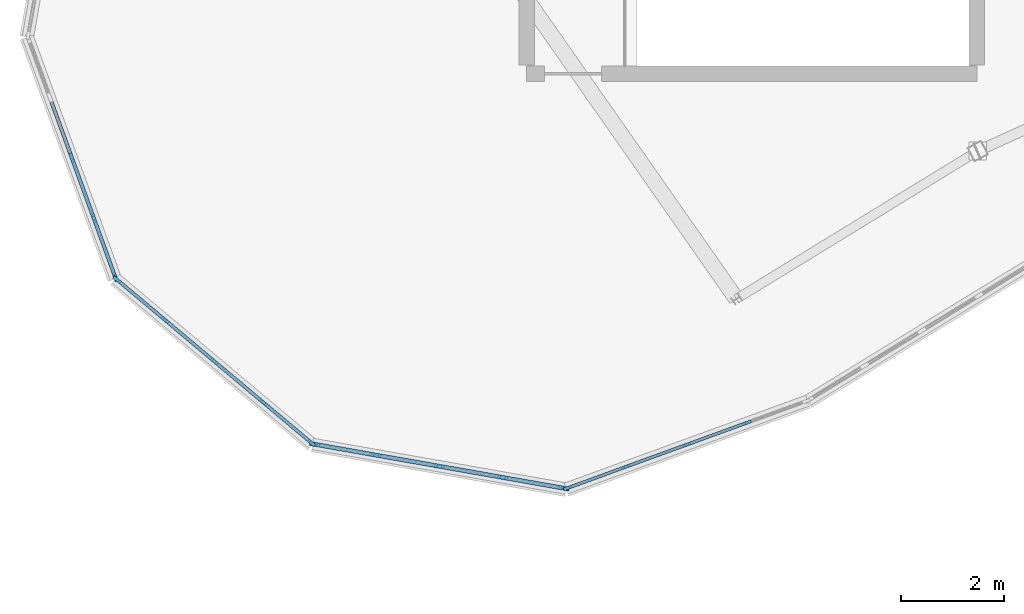
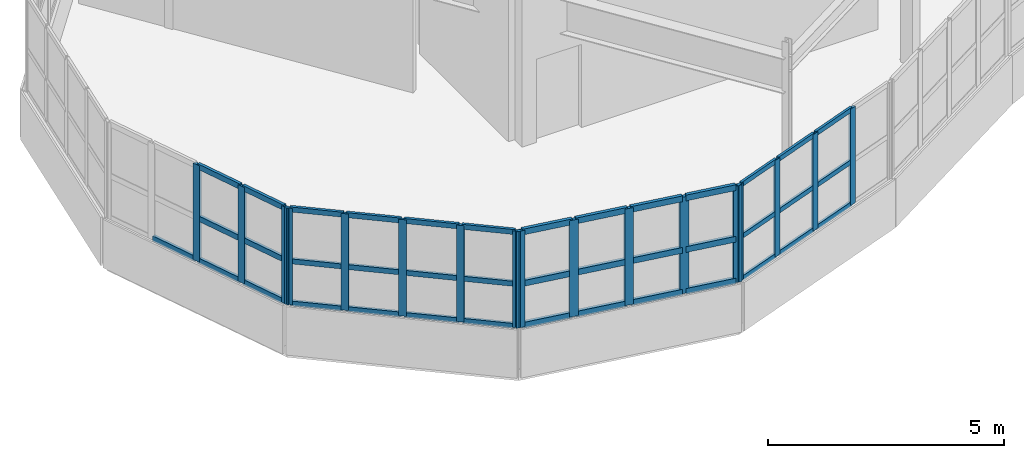
# One storey, part 25 of 60: 57 members, 4 elements without a shape of their own.
"""IFC4 building model written with IfcOpenShell, lengths in metres."""

import ifcopenshell
import ifcopenshell.guid

model = None  # the IFC model being written
_history = None  # IfcOwnerHistory: only IFC2X3 demands one
_inside = {}  # id of a spatial element -> (the spatial element, [elements in it])
_under = {}  # id of a project, library or spatial element -> (it, [spatial elements below it])
_declared = {}  # id of a project -> (the project, [libraries it declares])
_typed = {}  # id of a type object -> (the type object, [elements of that type])
_made_of = {}  # id of a material, layer set ... -> (it, [elements and type objects made of it])


def new_model(schema):
    """Start an empty IFC model of exactly this schema.

    Asked for "IFC4X3", IfcOpenShell would pick the latest addendum, in which some entities
    have other attributes; the version numbers below select the first issue.
    IFC2X3 requires an IfcOwnerHistory on every rooted entity: one is made here for all.
    """
    global model, _history
    if schema == "IFC4X3":
        model = ifcopenshell.file(schema_version=(4, 3, 0, 0))
    else:
        model = ifcopenshell.file(schema=schema)
    _inside.clear()
    _under.clear()
    _declared.clear()
    _typed.clear()
    _made_of.clear()
    _history = None
    if model.schema == "IFC2X3":
        org = make("IfcOrganization", Name="unknown")
        user = make(
            "IfcPersonAndOrganization",
            ThePerson=make("IfcPerson", FamilyName="unknown"),
            TheOrganization=org,
        )
        app = make(
            "IfcApplication",
            ApplicationDeveloper=org,
            Version="unknown",
            ApplicationFullName="unknown",
            ApplicationIdentifier="unknown",
        )
        _history = make(
            "IfcOwnerHistory",
            OwningUser=user,
            OwningApplication=app,
            ChangeAction="ADDED",
            CreationDate=0,
        )
    return model


def make(cls, **values):
    """One entity of the class cls with the attributes given. An attribute that is None is left unset."""
    return model.create_entity(
        cls, **{name: value for name, value in values.items() if value is not None}
    )


def rooted(cls, **values):
    """An entity with a GlobalId (a new one), such as an element, a storey or a relation."""
    return make(cls, GlobalId=ifcopenshell.guid.new(), OwnerHistory=_history, **values)


def si_unit(unit_type, name, prefix=None):
    """IfcSIUnit, for example si_unit("LENGTHUNIT", "METRE", prefix="MILLI")."""
    return make("IfcSIUnit", UnitType=unit_type, Prefix=prefix, Name=name)


def assignment(units):
    """IfcUnitAssignment: the units of a project."""
    return None if units is None else make("IfcUnitAssignment", Units=units)


def point(xyz):
    """IfcCartesianPoint."""
    return None if xyz is None else make("IfcCartesianPoint", Coordinates=xyz)


def direction(xyz):
    """IfcDirection."""
    return None if xyz is None else make("IfcDirection", DirectionRatios=xyz)


def frame(location, z_axis=None, x_axis=None):
    """IfcAxis2Placement3D, a coordinate frame: its origin and axes. An axis left out is left unset."""
    return make(
        "IfcAxis2Placement3D",
        Location=point(location),
        Axis=direction(z_axis),
        RefDirection=direction(x_axis),
    )


def frame_2d(location, x_axis=None):
    """IfcAxis2Placement2D, a coordinate frame in the plane: its origin and x axis."""
    return make(
        "IfcAxis2Placement2D", Location=point(location), RefDirection=direction(x_axis)
    )


def origin():
    """The frame at (0, 0, 0) with its axes left unset."""
    return frame((0.0, 0.0, 0.0))


def origin_2d():
    """The frame at (0, 0) in the plane with its x axis left unset."""
    return frame_2d((0.0, 0.0))


def place(relative_to, where):
    """IfcLocalPlacement: puts the frame where relative to a parent placement (None: the world)."""
    return make(
        "IfcLocalPlacement", PlacementRelTo=relative_to, RelativePlacement=where
    )


def context(
    kind, dimensions, precision=None, world=None, true_north=None, identifier=None
):
    """IfcGeometricRepresentationContext, for example the 3D "Model" context."""
    return make(
        "IfcGeometricRepresentationContext",
        ContextIdentifier=identifier,
        ContextType=kind,
        CoordinateSpaceDimension=dimensions,
        Precision=precision,
        WorldCoordinateSystem=world,
        TrueNorth=true_north,
    )


def subcontext(parent, identifier, kind, view, scale=None):
    """IfcGeometricRepresentationSubContext, for example "Body" below "Model"."""
    return make(
        "IfcGeometricRepresentationSubContext",
        ContextIdentifier=identifier,
        ContextType=kind,
        ParentContext=parent,
        TargetScale=scale,
        TargetView=view,
    )


def project(units=None, contexts=None):
    """IfcProject with its units and contexts."""
    return rooted(
        "IfcProject",
        Name="project",
        RepresentationContexts=contexts,
        UnitsInContext=assignment(units),
    )


def spatial(cls, under=None, at=None, **own):
    """A site, building, storey or space (cls), placed at a placement, below another one or the project."""
    s = rooted(cls, ObjectPlacement=at, **own)
    if under is not None:
        _under.setdefault(under.id(), (under, []))[1].append(s)
    return s


def profile(cls, at=None, kind="AREA", **sizes):
    """A parametric profile (cls). Its sizes go by their IFC names, for example OverallWidth=200.0."""
    return make(cls, ProfileType=kind, Position=at, **sizes)


def rectangle(**sizes):
    """IfcRectangleProfileDef."""
    return profile("IfcRectangleProfileDef", **sizes)


def extrude(swept, where, along, depth):
    """IfcExtrudedAreaSolid: the profile swept, set in the frame where, extruded along a direction by depth."""
    return make(
        "IfcExtrudedAreaSolid",
        SweptArea=swept,
        Position=where,
        ExtrudedDirection=direction(along),
        Depth=depth,
    )


def shape(context_of_items, identifier, shape_type, items):
    """IfcShapeRepresentation: the items that make up one representation, for example the "Body"."""
    return make(
        "IfcShapeRepresentation",
        ContextOfItems=context_of_items,
        RepresentationIdentifier=identifier,
        RepresentationType=shape_type,
        Items=items,
    )


def material(Name=None, Category=None):
    """IfcMaterial."""
    return make("IfcMaterial", Name=Name, Category=Category)


def layer(
    of_material, thickness, ventilated=None, Name=None, Category=None, Priority=None
):
    """IfcMaterialLayer: one layer of a wall or slab, of a material (None: an air gap)."""
    return make(
        "IfcMaterialLayer",
        Material=of_material,
        LayerThickness=thickness,
        IsVentilated=ventilated,
        Name=Name,
        Category=Category,
        Priority=Priority,
    )


def layer_set(layers, Name=None):
    """IfcMaterialLayerSet."""
    return make("IfcMaterialLayerSet", MaterialLayers=layers, LayerSetName=Name)


def material_profile(
    of_material, cross_section, Name=None, Category=None, Priority=None
):
    """IfcMaterialProfile: a cross section and its material."""
    return make(
        "IfcMaterialProfile",
        Name=Name,
        Material=of_material,
        Profile=cross_section,
        Priority=Priority,
        Category=Category,
    )


def profile_set(profiles, Name=None, composite=None):
    """IfcMaterialProfileSet."""
    return make(
        "IfcMaterialProfileSet",
        Name=Name,
        MaterialProfiles=profiles,
        CompositeProfile=composite,
    )


def made_of(thing, what):
    """Note that an element or type object is made of a material, layer set ...; save() writes the relation."""
    if what is not None:
        _made_of.setdefault(what.id(), (what, []))[1].append(thing)
    return thing


def type_object(cls, material=None, **own):
    """A type object (cls), such as IfcWallType, which elements share."""
    return made_of(rooted(cls, **own), material)


def element(
    cls,
    number,
    at=None,
    inside=None,
    cuts=None,
    type_object=None,
    material=None,
    context=None,
    identifier="Body",
    shape_type=None,
    held_by="IfcProductDefinitionShape",
    body=None,
    shapes=None,
    **own,
):
    """One element of the class cls, such as IfcWall. Its Tag is "e" and its number.

    at: its placement. inside: the storey or other place that contains it. cuts: it is an
    opening in that element (IfcRelVoidsElement). A single representation is given by context,
    identifier, shape_type and body (its items); several are given by shapes. held_by: the class
    of the entity that holds the representations. save() writes the other relations.
    """
    e = rooted(cls, Tag="e%d" % number, ObjectPlacement=at, **own)
    if body is not None:
        shapes = [shape(context, identifier, shape_type, body)]
    if shapes is not None:
        e.Representation = make(held_by, Representations=shapes)
    if inside is not None:
        _inside.setdefault(inside.id(), (inside, []))[1].append(e)
    if cuts is not None:
        rooted(
            "IfcRelVoidsElement", RelatingBuildingElement=cuts, RelatedOpeningElement=e
        )
    if type_object is not None:
        _typed.setdefault(type_object.id(), (type_object, []))[1].append(e)
    return made_of(e, material)


def aggregate(whole, parts):
    """IfcRelAggregates: a whole, such as a stair, and the parts it consists of."""
    return rooted("IfcRelAggregates", RelatingObject=whole, RelatedObjects=parts)


def save(model, path):
    """Write the relations noted so far, then the file.

    IfcRelAggregates (storeys below a building ...), IfcRelContainedInSpatialStructure (elements
    in a storey), IfcRelDefinesByType, IfcRelAssociatesMaterial and IfcRelDeclares: one each for
    every whole, place, type object, material and project.
    """
    for whole, parts in _under.values():
        aggregate(whole, parts)
    for where, things in _inside.values():
        rooted(
            "IfcRelContainedInSpatialStructure",
            RelatedElements=things,
            RelatingStructure=where,
        )
    for kind, things in _typed.values():
        rooted("IfcRelDefinesByType", RelatedObjects=things, RelatingType=kind)
    for what, things in _made_of.values():
        rooted("IfcRelAssociatesMaterial", RelatedObjects=things, RelatingMaterial=what)
    for by, libraries in _declared.values():
        rooted("IfcRelDeclares", RelatingContext=by, RelatedDefinitions=libraries)
    model.write(path)


model = new_model("IFC4")

# Units and contexts
model_context = context("Model", 3, precision=1e-05, world=origin(), true_north=direction((0.0, 1.0)))
body_context = subcontext(model_context, "Body", "Model", "MODEL_VIEW")
ifc_project = project(units=[si_unit("LENGTHUNIT", "METRE"), si_unit("AREAUNIT", "SQUARE_METRE"), si_unit("VOLUMEUNIT", "CUBIC_METRE"), si_unit("PLANEANGLEUNIT", "RADIAN"), si_unit("MASSUNIT", "GRAM", prefix="KILO")], contexts=[model_context])

# Site, building, storey
site_placement = place(None, origin())
site = spatial("IfcSite", under=ifc_project, at=site_placement, CompositionType="ELEMENT")
building_placement = place(site_placement, origin())
building = spatial("IfcBuilding", under=site, at=building_placement, Name="Tarnwether General Hospital", CompositionType="ELEMENT")
storey_placement = place(building_placement, frame((0.0, 0.0, 26.10009765625)))
storey = spatial("IfcBuildingStorey", under=building, at=storey_placement, Name="L06", CompositionType="ELEMENT", Elevation=26.10009765625)

# Curtain wall, members
ifc_material_1 = material(Name="Anodised aluminium", Category="aluminium")
ifc_layer = layer(ifc_material_1, 0.159912109375)
ifc_layer_set = layer_set([ifc_layer], Name="Anodised aluminium")
curtain_wall_type = type_object("IfcCurtainWallType", Name="CW-04", PredefinedType="NOTDEFINED", material=ifc_layer_set)
curtain_wall_1_placement = place(storey_placement, origin())
curtain_wall_1 = element("IfcCurtainWall", 1, at=curtain_wall_1_placement, inside=storey, type_object=curtain_wall_type, Name="Curtain Wall CWG-L06-677_977-0101", PredefinedType="NOTDEFINED")
ifc_material_2 = material(Name="Anodised aluminium", Category="aluminium")
ifc_material_profile_1 = material_profile(ifc_material_2, rectangle(XDim=0.06005859375, YDim=0.159912109375, at=origin_2d()), Name="ALU-MUL-60x160")
ifc_profile_set_1 = profile_set([ifc_material_profile_1], Name="Anodised aluminium")
member_type_1 = type_object("IfcMemberType", Name="CW-ML1", PredefinedType="MULLION", material=ifc_profile_set_1)
member_1_placement = place(storey_placement, frame((66.5126953125, 97.306884765625, 1.0498046875), z_axis=(0.0, 0.0, 1.0), x_axis=(0.342130850834, -0.939652319163, 0.0)))
member_1 = element("IfcMember", 2, at=member_1_placement, type_object=member_type_1, Name="CW-04 mullion 2", PredefinedType="MULLION", context=body_context, shape_type="SweptSolid", body=[
    extrude(rectangle(XDim=0.06005859375, YDim=0.159912109375, at=origin_2d()), origin(), (0.0, 0.0, 1.0), 2.4951171875),
])
member_2_placement = place(storey_placement, frame((65.345458984375, 96.882080078125, 1.0498046875), z_axis=(0.0, 0.0, 1.0), x_axis=(0.342130850834, -0.939652319163, 0.0)))
member_2 = element("IfcMember", 3, at=member_2_placement, type_object=member_type_1, Name="CW-04 mullion 3", PredefinedType="MULLION", context=body_context, shape_type="SweptSolid", body=[
    extrude(rectangle(XDim=0.06005859375, YDim=0.159912109375, at=origin_2d()), origin(), (0.0, 0.0, 1.0), 2.4951171875),
])
member_3_placement = place(storey_placement, frame((64.17822265625, 96.45703125, 1.0498046875), z_axis=(0.0, 0.0, 1.0), x_axis=(0.342130850834, -0.939652319163, 0.0)))
member_3 = element("IfcMember", 4, at=member_3_placement, type_object=member_type_1, Name="CW-04 mullion 4", PredefinedType="MULLION", context=body_context, shape_type="SweptSolid", body=[
    extrude(rectangle(XDim=0.06005859375, YDim=0.159912109375, at=origin_2d()), origin(), (0.0, 0.0, 1.0), 2.4951171875),
])
member_4_placement = place(storey_placement, frame((63.039306640625, 96.042236328125, 1.0498046875), z_axis=(0.0, 0.0, 1.0), x_axis=(0.342130850834, -0.939652319163, 0.0)))
member_4 = element("IfcMember", 5, at=member_4_placement, type_object=member_type_1, Name="CW-04 mullion 5", PredefinedType="MULLION", context=body_context, shape_type="SweptSolid", body=[
    extrude(rectangle(XDim=0.06005859375, YDim=0.159912109375, at=origin_2d()), origin(), (0.0, 0.0, 1.0), 2.4951171875),
])

curtain_wall_2_placement = place(storey_placement, origin())
curtain_wall_2 = element("IfcCurtainWall", 6, at=curtain_wall_2_placement, inside=storey, type_object=curtain_wall_type, Name="Curtain Wall CWG-L06-543_1001-0098", PredefinedType="NOTDEFINED")
ifc_material_3 = material(Name="Anodised aluminium", Category="aluminium")
ifc_material_profile_2 = material_profile(ifc_material_3, rectangle(XDim=0.070068359375, YDim=0.179931640625, at=origin_2d()), Name="ALU-MUL-70x180")
ifc_profile_set_2 = profile_set([ifc_material_profile_2], Name="Anodised aluminium")
member_type_2 = type_object("IfcMemberType", Name="CW-ML2", PredefinedType="MULLION", material=ifc_profile_set_2)
member_5_placement = place(storey_placement, frame((54.298095703125, 100.122802734375, 1.0498046875), z_axis=(0.0, 0.0, 1.0), x_axis=(-0.939717006582, -0.341953136469, 0.0)))
member_5 = element("IfcMember", 7, at=member_5_placement, type_object=member_type_2, Name="CW-04 mullion 1", PredefinedType="MULLION", context=body_context, shape_type="SweptSolid", body=[
    extrude(rectangle(XDim=0.070068359375, YDim=0.179931640625, at=origin_2d()), origin(), (0.0, 0.0, 1.0), 2.4951171875),
])
member_6_placement = place(storey_placement, frame((53.88525390625, 101.25732421875, 1.0498046875), z_axis=(0.0, 0.0, 1.0), x_axis=(-0.939717006582, -0.341953136469, 0.0)))
member_6 = element("IfcMember", 8, at=member_6_placement, type_object=member_type_2, Name="CW-04 mullion 2", PredefinedType="MULLION", context=body_context, shape_type="SweptSolid", body=[
    extrude(rectangle(XDim=0.070068359375, YDim=0.179931640625, at=origin_2d()), origin(), (0.0, 0.0, 1.0), 2.4951171875),
])
member_7_placement = place(storey_placement, frame((53.46044921875, 102.424560546875, 1.0498046875), z_axis=(0.0, 0.0, 1.0), x_axis=(-0.939717006582, -0.341953136469, 0.0)))
member_7 = element("IfcMember", 9, at=member_7_placement, type_object=member_type_2, Name="CW-04 mullion 3", PredefinedType="MULLION", context=body_context, shape_type="SweptSolid", body=[
    extrude(rectangle(XDim=0.070068359375, YDim=0.179931640625, at=origin_2d()), origin(), (0.0, 0.0, 1.0), 2.4951171875),
])

curtain_wall_3_placement = place(storey_placement, origin())
curtain_wall_3 = element("IfcCurtainWall", 10, at=curtain_wall_3_placement, inside=storey, type_object=curtain_wall_type, Name="Curtain Wall CWG-L06-581_969-0099", PredefinedType="NOTDEFINED")
ifc_material_4 = material(Name="Anodised aluminium", Category="aluminium")
ifc_material_profile_3 = material_profile(ifc_material_4, rectangle(XDim=0.06494140625, YDim=0.169921875, at=origin_2d()), Name="ALU-MUL-65x170")
ifc_profile_set_3 = profile_set([ifc_material_profile_3], Name="Anodised aluminium")
member_type_3 = type_object("IfcMemberType", Name="CW-ML3", PredefinedType="MULLION", material=ifc_profile_set_3)
member_8_placement = place(storey_placement, frame((58.092041015625, 96.915771484375, 1.0498046875), z_axis=(0.0, 0.0, 1.0), x_axis=(-0.64285227611, -0.765990176896, 0.0)))
member_8 = element("IfcMember", 11, at=member_8_placement, type_object=member_type_3, Name="CW-04 mullion 1", PredefinedType="MULLION", context=body_context, shape_type="SweptSolid", body=[
    extrude(rectangle(XDim=0.06494140625, YDim=0.169921875, at=origin_2d()), origin(), (0.0, 0.0, 1.0), 2.4951171875),
])
member_9_placement = place(storey_placement, frame((57.165283203125, 97.69384765625, 1.0498046875), z_axis=(0.0, 0.0, 1.0), x_axis=(-0.64285227611, -0.765990176896, 0.0)))
member_9 = element("IfcMember", 12, at=member_9_placement, type_object=member_type_3, Name="CW-04 mullion 2", PredefinedType="MULLION", context=body_context, shape_type="SweptSolid", body=[
    extrude(rectangle(XDim=0.06494140625, YDim=0.169921875, at=origin_2d()), origin(), (0.0, 0.0, 1.0), 2.4951171875),
])
member_10_placement = place(storey_placement, frame((56.21337890625, 98.492431640625, 1.0498046875), z_axis=(0.0, 0.0, 1.0), x_axis=(-0.64285227611, -0.765990176896, 0.0)))
member_10 = element("IfcMember", 13, at=member_10_placement, type_object=member_type_3, Name="CW-04 mullion 3", PredefinedType="MULLION", context=body_context, shape_type="SweptSolid", body=[
    extrude(rectangle(XDim=0.06494140625, YDim=0.169921875, at=origin_2d()), origin(), (0.0, 0.0, 1.0), 2.4951171875),
])
member_11_placement = place(storey_placement, frame((55.26171875, 99.291259765625, 1.0498046875), z_axis=(0.0, 0.0, 1.0), x_axis=(-0.64285227611, -0.765990176896, 0.0)))
member_11 = element("IfcMember", 14, at=member_11_placement, type_object=member_type_3, Name="CW-04 mullion 4", PredefinedType="MULLION", context=body_context, shape_type="SweptSolid", body=[
    extrude(rectangle(XDim=0.06494140625, YDim=0.169921875, at=origin_2d()), origin(), (0.0, 0.0, 1.0), 2.4951171875),
])
member_12_placement = place(storey_placement, frame((54.3349609375, 100.069091796875, 1.0498046875), z_axis=(0.0, 0.0, 1.0), x_axis=(-0.64285227611, -0.765990176896, 0.0)))
member_12 = element("IfcMember", 15, at=member_12_placement, type_object=member_type_3, Name="CW-04 mullion 5", PredefinedType="MULLION", context=body_context, shape_type="SweptSolid", body=[
    extrude(rectangle(XDim=0.06494140625, YDim=0.169921875, at=origin_2d()), origin(), (0.0, 0.0, 1.0), 2.4951171875),
])

curtain_wall_4_placement = place(storey_placement, origin())
curtain_wall_4 = element("IfcCurtainWall", 16, at=curtain_wall_4_placement, inside=storey, type_object=curtain_wall_type, Name="Curtain Wall CWG-L06-630_960-0100", PredefinedType="NOTDEFINED")
ifc_material_5 = material(Name="Anodised aluminium", Category="aluminium")
ifc_material_profile_4 = material_profile(ifc_material_5, rectangle(XDim=0.080078125, YDim=0.199951171875, at=origin_2d()), Name="ALU-MUL-80x200")
ifc_profile_set_4 = profile_set([ifc_material_profile_4], Name="Anodised aluminium")
member_type_4 = type_object("IfcMemberType", Name="CW-ML4", PredefinedType="MULLION", material=ifc_profile_set_4)
member_13_placement = place(storey_placement, frame((62.9716796875, 96.0390625, 1.0498046875), z_axis=(0.0, 0.0, 1.0), x_axis=(-0.173659059054, -0.984805834268, 0.0)))
member_13 = element("IfcMember", 17, at=member_13_placement, type_object=member_type_4, Name="CW-04 mullion 1", PredefinedType="MULLION", context=body_context, shape_type="SweptSolid", body=[
    extrude(rectangle(XDim=0.080078125, YDim=0.199951171875, at=origin_2d()), origin(), (0.0, 0.0, 1.0), 2.4951171875),
])
member_14_placement = place(storey_placement, frame((61.78759765625, 96.247802734375, 1.0498046875), z_axis=(0.0, 0.0, 1.0), x_axis=(-0.173659059054, -0.984805834268, 0.0)))
member_14 = element("IfcMember", 18, at=member_14_placement, type_object=member_type_4, Name="CW-04 mullion 2", PredefinedType="MULLION", context=body_context, shape_type="SweptSolid", body=[
    extrude(rectangle(XDim=0.080078125, YDim=0.199951171875, at=origin_2d()), origin(), (0.0, 0.0, 1.0), 2.4951171875),
])
member_15_placement = place(storey_placement, frame((60.56396484375, 96.46337890625, 1.0498046875), z_axis=(0.0, 0.0, 1.0), x_axis=(-0.173659059054, -0.984805834268, 0.0)))
member_15 = element("IfcMember", 19, at=member_15_placement, type_object=member_type_4, Name="CW-04 mullion 3", PredefinedType="MULLION", context=body_context, shape_type="SweptSolid", body=[
    extrude(rectangle(XDim=0.080078125, YDim=0.199951171875, at=origin_2d()), origin(), (0.0, 0.0, 1.0), 2.4951171875),
])
member_16_placement = place(storey_placement, frame((59.340576171875, 96.67919921875, 1.0498046875), z_axis=(0.0, 0.0, 1.0), x_axis=(-0.173659059054, -0.984805834268, 0.0)))
member_16 = element("IfcMember", 20, at=member_16_placement, type_object=member_type_4, Name="CW-04 mullion 4", PredefinedType="MULLION", context=body_context, shape_type="SweptSolid", body=[
    extrude(rectangle(XDim=0.080078125, YDim=0.199951171875, at=origin_2d()), origin(), (0.0, 0.0, 1.0), 2.4951171875),
])
member_17_placement = place(storey_placement, frame((58.156494140625, 96.887939453125, 1.0498046875), z_axis=(0.0, 0.0, 1.0), x_axis=(-0.173659059054, -0.984805834268, 0.0)))
member_17 = element("IfcMember", 21, at=member_17_placement, type_object=member_type_4, Name="CW-04 mullion 5", PredefinedType="MULLION", context=body_context, shape_type="SweptSolid", body=[
    extrude(rectangle(XDim=0.080078125, YDim=0.199951171875, at=origin_2d()), origin(), (0.0, 0.0, 1.0), 2.4951171875),
])

# Member
ifc_material_6 = material(Name="Anodised aluminium", Category="aluminium")
ifc_material_profile_5 = material_profile(ifc_material_6, rectangle(XDim=0.06005859375, YDim=0.1201171875, at=origin_2d()), Name="ALU-TRN-60x120")
ifc_profile_set_5 = profile_set([ifc_material_profile_5], Name="Anodised aluminium")
member_type_5 = type_object("IfcMemberType", Name="CW-TR1", PredefinedType="USERDEFINED", material=ifc_profile_set_5)
member_18_placement = place(storey_placement, frame((66.484619140625, 97.296630859375, 1.079833984375), z_axis=(-0.939696906367, -0.342008368559, 0.0), x_axis=(0.342008368559, -0.939696906367, 0.0)))
member_18 = element("IfcMember", 22, at=member_18_placement, type_object=member_type_5, Name="CW-04 transom 2.1", ObjectType="TRANSOM", PredefinedType="USERDEFINED", context=body_context, shape_type="SweptSolid", body=[
    extrude(rectangle(XDim=0.06005859375, YDim=0.1201171875, at=origin_2d()), origin(), (0.0, 0.0, 1.0), 1.18212890625),
])

member_19_placement = place(storey_placement, frame((66.484619140625, 97.296630859375, 2.172607421875), z_axis=(-0.939696906367, -0.342008368559, 0.0), x_axis=(0.342008368559, -0.939696906367, 0.0)))
member_19 = element("IfcMember", 23, at=member_19_placement, type_object=member_type_5, Name="CW-04 transom 2.2", ObjectType="TRANSOM", PredefinedType="USERDEFINED", context=body_context, shape_type="SweptSolid", body=[
    extrude(rectangle(XDim=0.06005859375, YDim=0.1201171875, at=origin_2d()), origin(), (0.0, 0.0, 1.0), 1.18212890625),
])

member_20_placement = place(storey_placement, frame((66.484619140625, 97.296630859375, 3.514892578125), z_axis=(-0.939696906367, -0.342008368559, 0.0), x_axis=(0.342008368559, -0.939696906367, 0.0)))
member_20 = element("IfcMember", 24, at=member_20_placement, type_object=member_type_5, Name="CW-04 transom 2.3", ObjectType="TRANSOM", PredefinedType="USERDEFINED", context=body_context, shape_type="SweptSolid", body=[
    extrude(rectangle(XDim=0.06005859375, YDim=0.1201171875, at=origin_2d()), origin(), (0.0, 0.0, 1.0), 1.18212890625),
])

member_21_placement = place(storey_placement, frame((65.3173828125, 96.871826171875, 1.079833984375), z_axis=(-0.939630518913, -0.342190718646, 0.0), x_axis=(0.342190718646, -0.939630518913, 0.0)))
member_21 = element("IfcMember", 25, at=member_21_placement, type_object=member_type_5, Name="CW-04 transom 3.1", ObjectType="TRANSOM", PredefinedType="USERDEFINED", context=body_context, shape_type="SweptSolid", body=[
    extrude(rectangle(XDim=0.06005859375, YDim=0.1201171875, at=origin_2d()), origin(), (0.0, 0.0, 1.0), 1.18212890625),
])

member_22_placement = place(storey_placement, frame((65.3173828125, 96.871826171875, 2.172607421875), z_axis=(-0.939630518913, -0.342190718646, 0.0), x_axis=(0.342190718646, -0.939630518913, 0.0)))
member_22 = element("IfcMember", 26, at=member_22_placement, type_object=member_type_5, Name="CW-04 transom 3.2", ObjectType="TRANSOM", PredefinedType="USERDEFINED", context=body_context, shape_type="SweptSolid", body=[
    extrude(rectangle(XDim=0.06005859375, YDim=0.1201171875, at=origin_2d()), origin(), (0.0, 0.0, 1.0), 1.18212890625),
])

member_23_placement = place(storey_placement, frame((65.3173828125, 96.871826171875, 3.514892578125), z_axis=(-0.939630518913, -0.342190718646, 0.0), x_axis=(0.342190718646, -0.939630518913, 0.0)))
member_23 = element("IfcMember", 27, at=member_23_placement, type_object=member_type_5, Name="CW-04 transom 3.3", ObjectType="TRANSOM", PredefinedType="USERDEFINED", context=body_context, shape_type="SweptSolid", body=[
    extrude(rectangle(XDim=0.06005859375, YDim=0.1201171875, at=origin_2d()), origin(), (0.0, 0.0, 1.0), 1.18212890625),
])

member_24_placement = place(storey_placement, frame((64.150146484375, 96.44677734375, 1.079833984375), z_axis=(-0.939638678412, -0.342168312432, 0.0), x_axis=(0.342168312432, -0.939638678412, 0.0)))
member_24 = element("IfcMember", 28, at=member_24_placement, type_object=member_type_5, Name="CW-04 transom 4.1", ObjectType="TRANSOM", PredefinedType="USERDEFINED", context=body_context, shape_type="SweptSolid", body=[
    extrude(rectangle(XDim=0.06005859375, YDim=0.1201171875, at=origin_2d()), origin(), (0.0, 0.0, 1.0), 1.15234375),
])

member_25_placement = place(storey_placement, frame((64.150146484375, 96.44677734375, 2.172607421875), z_axis=(-0.939638678412, -0.342168312432, 0.0), x_axis=(0.342168312432, -0.939638678412, 0.0)))
member_25 = element("IfcMember", 29, at=member_25_placement, type_object=member_type_5, Name="CW-04 transom 4.2", ObjectType="TRANSOM", PredefinedType="USERDEFINED", context=body_context, shape_type="SweptSolid", body=[
    extrude(rectangle(XDim=0.06005859375, YDim=0.1201171875, at=origin_2d()), origin(), (0.0, 0.0, 1.0), 1.15234375),
])

member_26_placement = place(storey_placement, frame((64.150146484375, 96.44677734375, 3.514892578125), z_axis=(-0.939638678412, -0.342168312432, 0.0), x_axis=(0.342168312432, -0.939638678412, 0.0)))
member_26 = element("IfcMember", 30, at=member_26_placement, type_object=member_type_5, Name="CW-04 transom 4.3", ObjectType="TRANSOM", PredefinedType="USERDEFINED", context=body_context, shape_type="SweptSolid", body=[
    extrude(rectangle(XDim=0.06005859375, YDim=0.1201171875, at=origin_2d()), origin(), (0.0, 0.0, 1.0), 1.15234375),
])

aggregate(curtain_wall_1, [member_1, member_2, member_3, member_4, member_18, member_19, member_20, member_21, member_22, member_23, member_24, member_25, member_26])

ifc_material_7 = material(Name="Anodised aluminium", Category="aluminium")
ifc_material_profile_6 = material_profile(ifc_material_7, rectangle(XDim=0.070068359375, YDim=0.139892578125, at=origin_2d()), Name="ALU-TRN-70x140")
ifc_profile_set_6 = profile_set([ifc_material_profile_6], Name="Anodised aluminium")
member_type_6 = type_object("IfcMemberType", Name="CW-TR2", PredefinedType="USERDEFINED", material=ifc_profile_set_6)
member_27_placement = place(storey_placement, frame((54.2861328125, 100.15576171875, 1.0849609375), z_axis=(-0.342001618739, 0.939699362977, 0.0), x_axis=(-0.939699362977, -0.342001618739, 0.0)))
member_27 = element("IfcMember", 31, at=member_27_placement, type_object=member_type_6, Name="CW-04 transom 1.1", ObjectType="TRANSOM", PredefinedType="USERDEFINED", context=body_context, shape_type="SweptSolid", body=[
    extrude(rectangle(XDim=0.070068359375, YDim=0.139892578125, at=origin_2d()), origin(), (0.0, 0.0, 1.0), 1.13720703125),
])

member_28_placement = place(storey_placement, frame((54.2861328125, 100.15576171875, 2.172607421875), z_axis=(-0.342001618739, 0.939699362977, 0.0), x_axis=(-0.939699362977, -0.342001618739, 0.0)))
member_28 = element("IfcMember", 32, at=member_28_placement, type_object=member_type_6, Name="CW-04 transom 1.2", ObjectType="TRANSOM", PredefinedType="USERDEFINED", context=body_context, shape_type="SweptSolid", body=[
    extrude(rectangle(XDim=0.070068359375, YDim=0.139892578125, at=origin_2d()), origin(), (0.0, 0.0, 1.0), 1.13720703125),
])

member_29_placement = place(storey_placement, frame((54.2861328125, 100.15576171875, 3.510009765625), z_axis=(-0.342001618739, 0.939699362977, 0.0), x_axis=(-0.939699362977, -0.342001618739, 0.0)))
member_29 = element("IfcMember", 33, at=member_29_placement, type_object=member_type_6, Name="CW-04 transom 1.3", ObjectType="TRANSOM", PredefinedType="USERDEFINED", context=body_context, shape_type="SweptSolid", body=[
    extrude(rectangle(XDim=0.070068359375, YDim=0.139892578125, at=origin_2d()), origin(), (0.0, 0.0, 1.0), 1.13720703125),
])

member_30_placement = place(storey_placement, frame((53.873291015625, 101.2900390625, 1.0849609375), z_axis=(-0.341977164717, 0.939708262607, 0.0), x_axis=(-0.939708262607, -0.341977164717, 0.0)))
member_30 = element("IfcMember", 34, at=member_30_placement, type_object=member_type_6, Name="CW-04 transom 2.1", ObjectType="TRANSOM", PredefinedType="USERDEFINED", context=body_context, shape_type="SweptSolid", body=[
    extrude(rectangle(XDim=0.070068359375, YDim=0.139892578125, at=origin_2d()), origin(), (0.0, 0.0, 1.0), 1.172119140625),
])

member_31_placement = place(storey_placement, frame((53.873291015625, 101.2900390625, 2.172607421875), z_axis=(-0.341977164717, 0.939708262607, 0.0), x_axis=(-0.939708262607, -0.341977164717, 0.0)))
member_31 = element("IfcMember", 35, at=member_31_placement, type_object=member_type_6, Name="CW-04 transom 2.2", ObjectType="TRANSOM", PredefinedType="USERDEFINED", context=body_context, shape_type="SweptSolid", body=[
    extrude(rectangle(XDim=0.070068359375, YDim=0.139892578125, at=origin_2d()), origin(), (0.0, 0.0, 1.0), 1.172119140625),
])

member_32_placement = place(storey_placement, frame((53.873291015625, 101.2900390625, 3.510009765625), z_axis=(-0.341977164717, 0.939708262607, 0.0), x_axis=(-0.939708262607, -0.341977164717, 0.0)))
member_32 = element("IfcMember", 36, at=member_32_placement, type_object=member_type_6, Name="CW-04 transom 2.3", ObjectType="TRANSOM", PredefinedType="USERDEFINED", context=body_context, shape_type="SweptSolid", body=[
    extrude(rectangle(XDim=0.070068359375, YDim=0.139892578125, at=origin_2d()), origin(), (0.0, 0.0, 1.0), 1.172119140625),
])

member_33_placement = place(storey_placement, frame((53.448486328125, 102.457275390625, 1.0849609375), z_axis=(-0.341977164717, 0.939708262607, 0.0), x_axis=(-0.939708262607, -0.341977164717, 0.0)))
member_33 = element("IfcMember", 37, at=member_33_placement, type_object=member_type_6, Name="CW-04 transom 3.1", ObjectType="TRANSOM", PredefinedType="USERDEFINED", context=body_context, shape_type="SweptSolid", body=[
    extrude(rectangle(XDim=0.070068359375, YDim=0.139892578125, at=origin_2d()), origin(), (0.0, 0.0, 1.0), 1.172119140625),
])

aggregate(curtain_wall_2, [member_5, member_6, member_7, member_27, member_28, member_29, member_30, member_31, member_32, member_33])

ifc_material_8 = material(Name="Anodised aluminium", Category="aluminium")
ifc_material_profile_7 = material_profile(ifc_material_8, rectangle(XDim=0.06494140625, YDim=0.1298828125, at=origin_2d()), Name="ALU-TRN-65x130")
ifc_profile_set_7 = profile_set([ifc_material_profile_7], Name="Anodised aluminium")
member_type_7 = type_object("IfcMemberType", Name="CW-TR3", PredefinedType="USERDEFINED", material=ifc_profile_set_7)
member_34_placement = place(storey_placement, frame((58.067138671875, 96.936767578125, 1.08251953125), z_axis=(-0.765944252325, 0.64290699353, 0.0), x_axis=(-0.64290699353, -0.765944252325, 0.0)))
member_34 = element("IfcMember", 38, at=member_34_placement, type_object=member_type_7, Name="CW-04 transom 1.1", ObjectType="TRANSOM", PredefinedType="USERDEFINED", context=body_context, shape_type="SweptSolid", body=[
    extrude(rectangle(XDim=0.06494140625, YDim=0.1298828125, at=origin_2d()), origin(), (0.0, 0.0, 1.0), 1.14501953125),
])

member_35_placement = place(storey_placement, frame((58.067138671875, 96.936767578125, 2.172607421875), z_axis=(-0.765944252325, 0.64290699353, 0.0), x_axis=(-0.64290699353, -0.765944252325, 0.0)))
member_35 = element("IfcMember", 39, at=member_35_placement, type_object=member_type_7, Name="CW-04 transom 1.2", ObjectType="TRANSOM", PredefinedType="USERDEFINED", context=body_context, shape_type="SweptSolid", body=[
    extrude(rectangle(XDim=0.06494140625, YDim=0.1298828125, at=origin_2d()), origin(), (0.0, 0.0, 1.0), 1.14501953125),
])

member_36_placement = place(storey_placement, frame((58.067138671875, 96.936767578125, 3.512451171875), z_axis=(-0.765944252325, 0.64290699353, 0.0), x_axis=(-0.64290699353, -0.765944252325, 0.0)))
member_36 = element("IfcMember", 40, at=member_36_placement, type_object=member_type_7, Name="CW-04 transom 1.3", ObjectType="TRANSOM", PredefinedType="USERDEFINED", context=body_context, shape_type="SweptSolid", body=[
    extrude(rectangle(XDim=0.06494140625, YDim=0.1298828125, at=origin_2d()), origin(), (0.0, 0.0, 1.0), 1.14501953125),
])

member_37_placement = place(storey_placement, frame((57.140380859375, 97.714599609375, 1.08251953125), z_axis=(-0.765990659542, 0.642851701012, 0.0), x_axis=(-0.642851701012, -0.765990659542, 0.0)))
member_37 = element("IfcMember", 41, at=member_37_placement, type_object=member_type_7, Name="CW-04 transom 2.1", ObjectType="TRANSOM", PredefinedType="USERDEFINED", context=body_context, shape_type="SweptSolid", body=[
    extrude(rectangle(XDim=0.06494140625, YDim=0.1298828125, at=origin_2d()), origin(), (0.0, 0.0, 1.0), 1.177734375),
])

member_38_placement = place(storey_placement, frame((57.140380859375, 97.714599609375, 2.172607421875), z_axis=(-0.765990659542, 0.642851701012, 0.0), x_axis=(-0.642851701012, -0.765990659542, 0.0)))
member_38 = element("IfcMember", 42, at=member_38_placement, type_object=member_type_7, Name="CW-04 transom 2.2", ObjectType="TRANSOM", PredefinedType="USERDEFINED", context=body_context, shape_type="SweptSolid", body=[
    extrude(rectangle(XDim=0.06494140625, YDim=0.1298828125, at=origin_2d()), origin(), (0.0, 0.0, 1.0), 1.177734375),
])

member_39_placement = place(storey_placement, frame((57.140380859375, 97.714599609375, 3.512451171875), z_axis=(-0.765990659542, 0.642851701012, 0.0), x_axis=(-0.642851701012, -0.765990659542, 0.0)))
member_39 = element("IfcMember", 43, at=member_39_placement, type_object=member_type_7, Name="CW-04 transom 2.3", ObjectType="TRANSOM", PredefinedType="USERDEFINED", context=body_context, shape_type="SweptSolid", body=[
    extrude(rectangle(XDim=0.06494140625, YDim=0.1298828125, at=origin_2d()), origin(), (0.0, 0.0, 1.0), 1.177734375),
])

member_40_placement = place(storey_placement, frame((56.188720703125, 98.513427734375, 1.08251953125), z_axis=(-0.766092744107, 0.642730042418, 0.0), x_axis=(-0.642730042418, -0.766092744107, 0.0)))
member_40 = element("IfcMember", 44, at=member_40_placement, type_object=member_type_7, Name="CW-04 transom 3.1", ObjectType="TRANSOM", PredefinedType="USERDEFINED", context=body_context, shape_type="SweptSolid", body=[
    extrude(rectangle(XDim=0.06494140625, YDim=0.1298828125, at=origin_2d()), origin(), (0.0, 0.0, 1.0), 1.177490234375),
])

member_41_placement = place(storey_placement, frame((56.188720703125, 98.513427734375, 2.172607421875), z_axis=(-0.766092744107, 0.642730042418, 0.0), x_axis=(-0.642730042418, -0.766092744107, 0.0)))
member_41 = element("IfcMember", 45, at=member_41_placement, type_object=member_type_7, Name="CW-04 transom 3.2", ObjectType="TRANSOM", PredefinedType="USERDEFINED", context=body_context, shape_type="SweptSolid", body=[
    extrude(rectangle(XDim=0.06494140625, YDim=0.1298828125, at=origin_2d()), origin(), (0.0, 0.0, 1.0), 1.177490234375),
])

member_42_placement = place(storey_placement, frame((56.188720703125, 98.513427734375, 3.512451171875), z_axis=(-0.766092744107, 0.642730042418, 0.0), x_axis=(-0.642730042418, -0.766092744107, 0.0)))
member_42 = element("IfcMember", 46, at=member_42_placement, type_object=member_type_7, Name="CW-04 transom 3.3", ObjectType="TRANSOM", PredefinedType="USERDEFINED", context=body_context, shape_type="SweptSolid", body=[
    extrude(rectangle(XDim=0.06494140625, YDim=0.1298828125, at=origin_2d()), origin(), (0.0, 0.0, 1.0), 1.177490234375),
])

member_43_placement = place(storey_placement, frame((55.23681640625, 99.312255859375, 1.08251953125), z_axis=(-0.766049260575, 0.642781868422, 0.0), x_axis=(-0.642781868422, -0.766049260575, 0.0)))
member_43 = element("IfcMember", 47, at=member_43_placement, type_object=member_type_7, Name="CW-04 transom 4.1", ObjectType="TRANSOM", PredefinedType="USERDEFINED", context=body_context, shape_type="SweptSolid", body=[
    extrude(rectangle(XDim=0.06494140625, YDim=0.1298828125, at=origin_2d()), origin(), (0.0, 0.0, 1.0), 1.144775390625),
])

member_44_placement = place(storey_placement, frame((55.23681640625, 99.312255859375, 2.172607421875), z_axis=(-0.766049260575, 0.642781868422, 0.0), x_axis=(-0.642781868422, -0.766049260575, 0.0)))
member_44 = element("IfcMember", 48, at=member_44_placement, type_object=member_type_7, Name="CW-04 transom 4.2", ObjectType="TRANSOM", PredefinedType="USERDEFINED", context=body_context, shape_type="SweptSolid", body=[
    extrude(rectangle(XDim=0.06494140625, YDim=0.1298828125, at=origin_2d()), origin(), (0.0, 0.0, 1.0), 1.144775390625),
])

member_45_placement = place(storey_placement, frame((55.23681640625, 99.312255859375, 3.512451171875), z_axis=(-0.766049260575, 0.642781868422, 0.0), x_axis=(-0.642781868422, -0.766049260575, 0.0)))
member_45 = element("IfcMember", 49, at=member_45_placement, type_object=member_type_7, Name="CW-04 transom 4.3", ObjectType="TRANSOM", PredefinedType="USERDEFINED", context=body_context, shape_type="SweptSolid", body=[
    extrude(rectangle(XDim=0.06494140625, YDim=0.1298828125, at=origin_2d()), origin(), (0.0, 0.0, 1.0), 1.144775390625),
])

aggregate(curtain_wall_3, [member_8, member_9, member_10, member_11, member_12, member_34, member_35, member_36, member_37, member_38, member_39, member_40, member_41, member_42, member_43, member_44, member_45])

ifc_material_9 = material(Name="Anodised aluminium", Category="aluminium")
ifc_material_profile_8 = material_profile(ifc_material_9, rectangle(XDim=0.080078125, YDim=0.14990234375, at=origin_2d()), Name="ALU-TRN-80x150")
ifc_profile_set_8 = profile_set([ifc_material_profile_8], Name="Anodised aluminium")
member_type_8 = type_object("IfcMemberType", Name="CW-TR4", PredefinedType="USERDEFINED", material=ifc_profile_set_8)
member_46_placement = place(storey_placement, frame((62.93212890625, 96.0458984375, 1.08984375), z_axis=(-0.984816391651, 0.173599178383, 0.0), x_axis=(-0.173599178383, -0.984816391651, 0.0)))
member_46 = element("IfcMember", 50, at=member_46_placement, type_object=member_type_8, Name="CW-04 transom 1.1", ObjectType="TRANSOM", PredefinedType="USERDEFINED", context=body_context, shape_type="SweptSolid", body=[
    extrude(rectangle(XDim=0.080078125, YDim=0.14990234375, at=origin_2d()), origin(), (0.0, 0.0, 1.0), 1.122314453125),
])

member_47_placement = place(storey_placement, frame((62.93212890625, 96.0458984375, 2.172607421875), z_axis=(-0.984816391651, 0.173599178383, 0.0), x_axis=(-0.173599178383, -0.984816391651, 0.0)))
member_47 = element("IfcMember", 51, at=member_47_placement, type_object=member_type_8, Name="CW-04 transom 1.2", ObjectType="TRANSOM", PredefinedType="USERDEFINED", context=body_context, shape_type="SweptSolid", body=[
    extrude(rectangle(XDim=0.080078125, YDim=0.14990234375, at=origin_2d()), origin(), (0.0, 0.0, 1.0), 1.122314453125),
])

member_48_placement = place(storey_placement, frame((62.93212890625, 96.0458984375, 3.5048828125), z_axis=(-0.984816391651, 0.173599178383, 0.0), x_axis=(-0.173599178383, -0.984816391651, 0.0)))
member_48 = element("IfcMember", 52, at=member_48_placement, type_object=member_type_8, Name="CW-04 transom 1.3", ObjectType="TRANSOM", PredefinedType="USERDEFINED", context=body_context, shape_type="SweptSolid", body=[
    extrude(rectangle(XDim=0.080078125, YDim=0.14990234375, at=origin_2d()), origin(), (0.0, 0.0, 1.0), 1.122314453125),
])

member_49_placement = place(storey_placement, frame((61.748046875, 96.254638671875, 1.08984375), z_axis=(-0.984800468802, 0.173689483408, 0.0), x_axis=(-0.173689483408, -0.984800468802, 0.0)))
member_49 = element("IfcMember", 53, at=member_49_placement, type_object=member_type_8, Name="CW-04 transom 2.1", ObjectType="TRANSOM", PredefinedType="USERDEFINED", context=body_context, shape_type="SweptSolid", body=[
    extrude(rectangle(XDim=0.080078125, YDim=0.14990234375, at=origin_2d()), origin(), (0.0, 0.0, 1.0), 1.162353515625),
])

member_50_placement = place(storey_placement, frame((61.748046875, 96.254638671875, 2.172607421875), z_axis=(-0.984800468802, 0.173689483408, 0.0), x_axis=(-0.173689483408, -0.984800468802, 0.0)))
member_50 = element("IfcMember", 54, at=member_50_placement, type_object=member_type_8, Name="CW-04 transom 2.2", ObjectType="TRANSOM", PredefinedType="USERDEFINED", context=body_context, shape_type="SweptSolid", body=[
    extrude(rectangle(XDim=0.080078125, YDim=0.14990234375, at=origin_2d()), origin(), (0.0, 0.0, 1.0), 1.162353515625),
])

member_51_placement = place(storey_placement, frame((61.748046875, 96.254638671875, 3.5048828125), z_axis=(-0.984800468802, 0.173689483408, 0.0), x_axis=(-0.173689483408, -0.984800468802, 0.0)))
member_51 = element("IfcMember", 55, at=member_51_placement, type_object=member_type_8, Name="CW-04 transom 2.3", ObjectType="TRANSOM", PredefinedType="USERDEFINED", context=body_context, shape_type="SweptSolid", body=[
    extrude(rectangle(XDim=0.080078125, YDim=0.14990234375, at=origin_2d()), origin(), (0.0, 0.0, 1.0), 1.162353515625),
])

member_52_placement = place(storey_placement, frame((60.524658203125, 96.470458984375, 1.08984375), z_axis=(-0.984800468802, 0.173689483408, 0.0), x_axis=(-0.173689483408, -0.984800468802, 0.0)))
member_52 = element("IfcMember", 56, at=member_52_placement, type_object=member_type_8, Name="CW-04 transom 3.1", ObjectType="TRANSOM", PredefinedType="USERDEFINED", context=body_context, shape_type="SweptSolid", body=[
    extrude(rectangle(XDim=0.080078125, YDim=0.14990234375, at=origin_2d()), origin(), (0.0, 0.0, 1.0), 1.162353515625),
])

member_53_placement = place(storey_placement, frame((60.524658203125, 96.470458984375, 2.172607421875), z_axis=(-0.984800468802, 0.173689483408, 0.0), x_axis=(-0.173689483408, -0.984800468802, 0.0)))
member_53 = element("IfcMember", 57, at=member_53_placement, type_object=member_type_8, Name="CW-04 transom 3.2", ObjectType="TRANSOM", PredefinedType="USERDEFINED", context=body_context, shape_type="SweptSolid", body=[
    extrude(rectangle(XDim=0.080078125, YDim=0.14990234375, at=origin_2d()), origin(), (0.0, 0.0, 1.0), 1.162353515625),
])

member_54_placement = place(storey_placement, frame((60.524658203125, 96.470458984375, 3.5048828125), z_axis=(-0.984800468802, 0.173689483408, 0.0), x_axis=(-0.173689483408, -0.984800468802, 0.0)))
member_54 = element("IfcMember", 58, at=member_54_placement, type_object=member_type_8, Name="CW-04 transom 3.3", ObjectType="TRANSOM", PredefinedType="USERDEFINED", context=body_context, shape_type="SweptSolid", body=[
    extrude(rectangle(XDim=0.080078125, YDim=0.14990234375, at=origin_2d()), origin(), (0.0, 0.0, 1.0), 1.162353515625),
])

member_55_placement = place(storey_placement, frame((59.301025390625, 96.686279296875, 1.08984375), z_axis=(-0.984816391651, 0.173599178383, 0.0), x_axis=(-0.173599178383, -0.984816391651, 0.0)))
member_55 = element("IfcMember", 59, at=member_55_placement, type_object=member_type_8, Name="CW-04 transom 4.1", ObjectType="TRANSOM", PredefinedType="USERDEFINED", context=body_context, shape_type="SweptSolid", body=[
    extrude(rectangle(XDim=0.080078125, YDim=0.14990234375, at=origin_2d()), origin(), (0.0, 0.0, 1.0), 1.122314453125),
])

member_56_placement = place(storey_placement, frame((59.301025390625, 96.686279296875, 2.172607421875), z_axis=(-0.984816391651, 0.173599178383, 0.0), x_axis=(-0.173599178383, -0.984816391651, 0.0)))
member_56 = element("IfcMember", 60, at=member_56_placement, type_object=member_type_8, Name="CW-04 transom 4.2", ObjectType="TRANSOM", PredefinedType="USERDEFINED", context=body_context, shape_type="SweptSolid", body=[
    extrude(rectangle(XDim=0.080078125, YDim=0.14990234375, at=origin_2d()), origin(), (0.0, 0.0, 1.0), 1.122314453125),
])

member_57_placement = place(storey_placement, frame((59.301025390625, 96.686279296875, 3.5048828125), z_axis=(-0.984816391651, 0.173599178383, 0.0), x_axis=(-0.173599178383, -0.984816391651, 0.0)))
member_57 = element("IfcMember", 61, at=member_57_placement, type_object=member_type_8, Name="CW-04 transom 4.3", ObjectType="TRANSOM", PredefinedType="USERDEFINED", context=body_context, shape_type="SweptSolid", body=[
    extrude(rectangle(XDim=0.080078125, YDim=0.14990234375, at=origin_2d()), origin(), (0.0, 0.0, 1.0), 1.122314453125),
])

aggregate(curtain_wall_4, [member_13, member_14, member_15, member_16, member_17, member_46, member_47, member_48, member_49, member_50, member_51, member_52, member_53, member_54, member_55, member_56, member_57])

save(model, "model.ifc")
